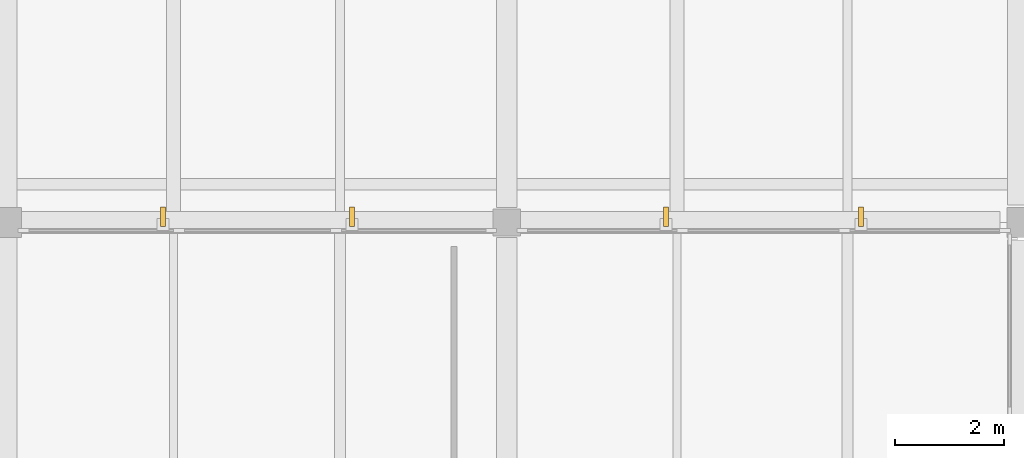
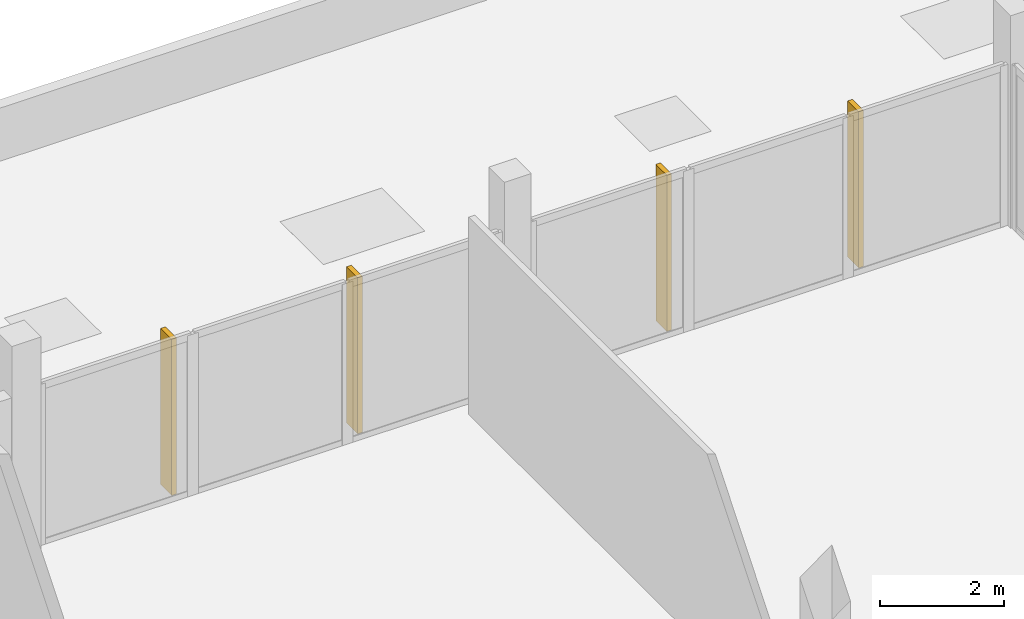
# One storey, part 66 of 66: 4 shading devices.
"""IFC4 building model written with IfcOpenShell, lengths in metres."""

from ifc_helpers import new_model, si_unit, direction, frame, origin, origin_2d, place, context, subcontext, project, spatial, rectangle, extrude, material, type_object, element, save


model = new_model("IFC4")

# Units and contexts
model_context = context("Model", 3, precision=1e-05, world=origin(), true_north=direction((0.0, 1.0)))
body_context = subcontext(model_context, "Body", "Model", "MODEL_VIEW")
ifc_project = project(units=[si_unit("LENGTHUNIT", "METRE"), si_unit("AREAUNIT", "SQUARE_METRE"), si_unit("VOLUMEUNIT", "CUBIC_METRE"), si_unit("PLANEANGLEUNIT", "RADIAN"), si_unit("MASSUNIT", "GRAM", prefix="KILO")], contexts=[model_context])

# Site, building, storey
site_placement = place(None, origin())
site = spatial("IfcSite", under=ifc_project, at=site_placement, CompositionType="ELEMENT")
building_placement = place(site_placement, origin())
building = spatial("IfcBuilding", under=site, at=building_placement, Name="Birchvale Park Specialist Clinic", CompositionType="ELEMENT")
storey_placement = place(building_placement, frame((0.0, 0.0, 5.39990234375)))
storey = spatial("IfcBuildingStorey", under=building, at=storey_placement, Name="L01", CompositionType="ELEMENT", Elevation=5.39990234375)

# Shading devices
ifc_material = material(Name="Glulam GL28h", Category="wood")
shading_device_type = type_object("IfcShadingDeviceType", Name="SHD-FIN1", PredefinedType="USERDEFINED", material=ifc_material)
for number, where, z_axis, x_axis, name in (
    (1, (152.9169921875, 101.5048828125, 0.050048828125), (0.0, 0.0, 1.0), (0.0, 1.0, 0.0), "V6 L01 glulam solar fin 24"),
    (2, (149.3330078125, 101.5048828125, 0.050048828125), (0.0, 0.0, 1.0), (0.0, 1.0, 0.0), "V6 L01 glulam solar fin 25"),
    (3, (143.549560546875, 101.5048828125, 0.050048828125), (0.0, 0.0, 1.0), (0.0, 1.0, 0.0), "V6 L01 glulam solar fin 26"),
    (4, (140.075439453125, 101.5048828125, 0.050048828125), (0.0, 0.0, 1.0), (0.0, 1.0, 0.0), "V6 L01 glulam solar fin 27"),
):
    element("IfcShadingDevice", number, at=place(storey_placement, frame(where, z_axis=z_axis, x_axis=x_axis)), inside=storey, type_object=shading_device_type, Name=name, ObjectType="FIN", PredefinedType="USERDEFINED", context=body_context, shape_type="SweptSolid", body=[
        extrude(rectangle(XDim=0.360107421875, YDim=0.090087890625, at=origin_2d()), origin(), (0.0, 0.0, 1.0), 3.0849609375),
    ])

save(model, "model.ifc")
